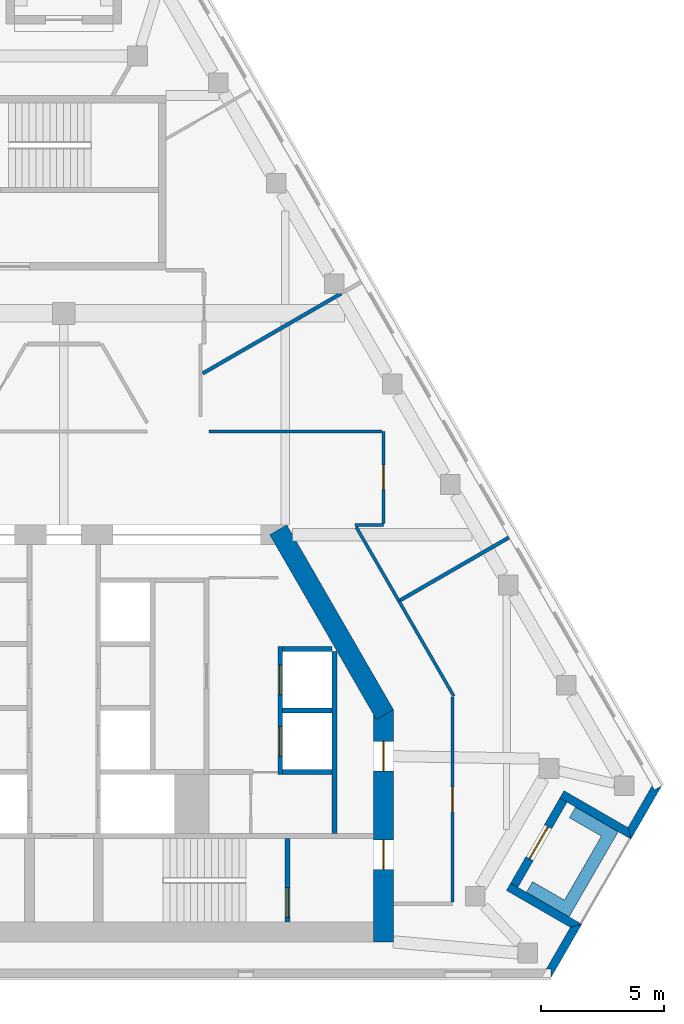
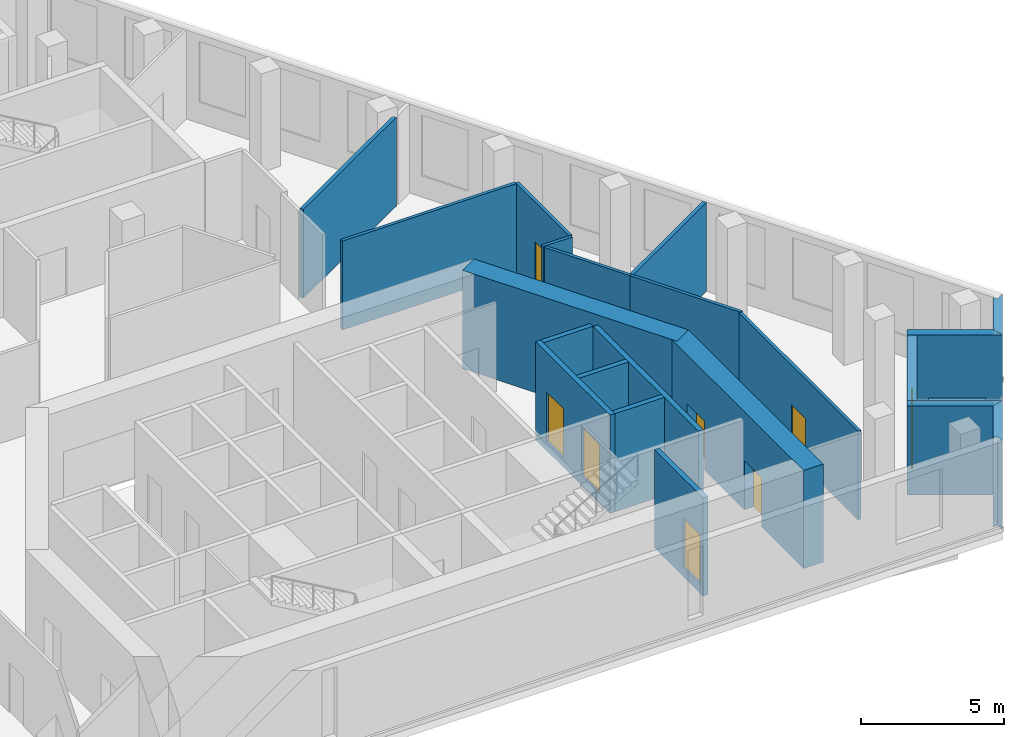
# One storey, part 5 of 8: 22 walls, 8 doors, 8 openings.
"""IFC4 building model written with IfcOpenShell, lengths in metres."""

from ifc_helpers import new_model, si_unit, direction, frame, frame_2d, origin, place, context, subcontext, project, spatial, polyline, rectangle, outline, extrude, material, layer, layer_set, type_object, element, fill, save


model = new_model("IFC4")

# Units and contexts
model_context = context("Model", 3, precision=1e-05, world=origin(), true_north=direction((0.0, 1.0)))
body_context = subcontext(model_context, "Body", "Model", "MODEL_VIEW")
ifc_project = project(units=[si_unit("LENGTHUNIT", "METRE"), si_unit("AREAUNIT", "SQUARE_METRE"), si_unit("VOLUMEUNIT", "CUBIC_METRE"), si_unit("PLANEANGLEUNIT", "RADIAN"), si_unit("MASSUNIT", "GRAM", prefix="KILO")], contexts=[model_context])

# Site, building, storey
site_placement = place(None, origin())
site = spatial("IfcSite", under=ifc_project, at=site_placement, CompositionType="ELEMENT")
building_placement = place(site_placement, origin())
building = spatial("IfcBuilding", under=site, at=building_placement, Name="Fogline Exchange Tower", CompositionType="ELEMENT")
storey_placement = place(building_placement, frame((0.0, 0.0, 330.89990234375)))
storey = spatial("IfcBuildingStorey", under=building, at=storey_placement, Name="L75", CompositionType="ELEMENT", Elevation=330.89990234375)

# Wall
ifc_material_1 = material(Name="Concrete C40", Category="concrete")
ifc_layer_1 = layer(ifc_material_1, 0.199951171875)
ifc_layer_set_1 = layer_set([ifc_layer_1], Name="CW20")
wall_type_1 = type_object("IfcWallType", Name="CW20", PredefinedType="SOLIDWALL", material=ifc_layer_set_1)
wall_1_placement = place(storey_placement, frame((11.0, 5.85009765625, 0.0), z_axis=(0.0, 0.0, 1.0), x_axis=(0.0, 1.0, 0.0)))
element("IfcWall", 1, at=wall_1_placement, inside=storey, type_object=wall_type_1, Name="Service room wall", PredefinedType="SOLIDWALL", context=body_context, shape_type="SweptSolid", body=[
    extrude(rectangle(XDim=7.39990234375, YDim=0.199951171875, at=frame_2d((3.699951171875, 0.0))), origin(), (0.0, 0.0, 1.0), 3.800048828125),
])

# Wall, opening, door
ifc_layer_2 = layer(ifc_material_1, 0.199951171875)
ifc_layer_set_2 = layer_set([ifc_layer_2], Name="CW20R")
wall_type_2 = type_object("IfcWallType", Name="CW20R", PredefinedType="SOLIDWALL", material=ifc_layer_set_2)
wall_2_placement = place(storey_placement, frame((9.10009765625, 2.25, -0.39990234375), z_axis=(0.0, 0.0, 1.0), x_axis=(0.0, 1.0, 0.0)))
wall_2 = element("IfcWall", 2, at=wall_2_placement, inside=storey, type_object=wall_type_2, Name="Stair enclosure wall", PredefinedType="SOLIDWALL", context=body_context, shape_type="SweptSolid", body=[
    extrude(rectangle(XDim=3.39990234375, YDim=0.199951171875, at=frame_2d((1.699951171875, 0.0))), origin(), (0.0, 0.0, 1.0), 4.199951171875),
])
opening_1_placement = place(wall_2_placement, frame((0.199951171875, 0.0, 0.39990234375)))
opening_1 = element("IfcOpeningElement", 3, at=opening_1_placement, cuts=wall_2, Name="Opening T23-C021", PredefinedType="OPENING", context=body_context, shape_type="SweptSolid", body=[
    extrude(rectangle(XDim=1.199951171875, YDim=2.10009765625, at=frame_2d((0.60009765625, 1.050048828125))), frame((0.0, 0.10986328125, 0.0), z_axis=(0.0, -1.0, 0.0), x_axis=(1.0, 0.0, 0.0)), (0.0, 0.0, 1.0), 0.219970703125),
])
ifc_material_2 = material(Name="Steel and timber fire door", Category="steel")
door_type_1 = type_object("IfcDoorType", Name="D-ST1", OperationType="SINGLE_SWING_LEFT", PredefinedType="DOOR", material=ifc_material_2)
door_1_placement = place(opening_1_placement, origin())
door_1 = element("IfcDoor", 4, at=door_1_placement, inside=storey, type_object=door_type_1, Name="Stair door ST2", OperationType="SINGLE_SWING_LEFT", OverallHeight=2.10009765625, OverallWidth=1.199951171875, PredefinedType="DOOR", context=body_context, shape_type="SweptSolid", body=[
    extrude(rectangle(XDim=1.199951171875, YDim=2.10009765625, at=frame_2d((0.60009765625, 1.050048828125))), frame((0.0, 0.02490234375, 0.0), z_axis=(0.0, -1.0, 0.0), x_axis=(1.0, 0.0, 0.0)), (0.0, 0.0, 1.0), 0.050048828125),
])
fill(opening_1, door_1)

# Wall, openings, doors
ifc_layer_3 = layer(ifc_material_1, 0.199951171875)
ifc_layer_set_3 = layer_set([ifc_layer_3], Name="CW20S")
wall_type_3 = type_object("IfcWallType", Name="CW20S", PredefinedType="SOLIDWALL", material=ifc_layer_set_3)
wall_3_placement = place(storey_placement, frame((8.800048828125, 8.25, -0.39990234375), z_axis=(0.0, 0.0, 1.0), x_axis=(0.0, 1.0, 0.0)))
wall_3 = element("IfcWall", 5, at=wall_3_placement, inside=storey, type_object=wall_type_3, Name="Lift shaft wall", PredefinedType="SOLIDWALL", context=body_context, shape_type="SweptSolid", body=[
    extrude(rectangle(XDim=5.199951171875, YDim=0.199951171875, at=frame_2d((2.60009765625, 0.0))), origin(), (0.0, 0.0, 1.0), 4.199951171875),
])
opening_2_placement = place(wall_3_placement, frame((0.75, 0.0, 0.39990234375)))
opening_2 = element("IfcOpeningElement", 6, at=opening_2_placement, cuts=wall_3, Name="Opening T23-LD02", PredefinedType="OPENING", context=body_context, shape_type="SweptSolid", body=[
    extrude(rectangle(XDim=1.199951171875, YDim=2.10009765625, at=frame_2d((0.60009765625, 1.050048828125))), frame((0.0, 0.10986328125, 0.0), z_axis=(0.0, -1.0, 0.0), x_axis=(1.0, 0.0, 0.0)), (0.0, 0.0, 1.0), 0.219970703125),
])
opening_3_placement = place(wall_3_placement, frame((3.25, 0.0, 0.39990234375)))
opening_3 = element("IfcOpeningElement", 7, at=opening_3_placement, cuts=wall_3, Name="Opening T23-LD03", PredefinedType="OPENING", context=body_context, shape_type="SweptSolid", body=[
    extrude(rectangle(XDim=1.199951171875, YDim=2.10009765625, at=frame_2d((0.60009765625, 1.050048828125))), frame((0.0, 0.10986328125, 0.0), z_axis=(0.0, -1.0, 0.0), x_axis=(1.0, 0.0, 0.0)), (0.0, 0.0, 1.0), 0.219970703125),
])
door_type_2 = type_object("IfcDoorType", Name="LD1", OperationType="SLIDING_TO_LEFT", PredefinedType="DOOR", material=ifc_material_2)
door_2_placement = place(opening_2_placement, origin())
door_2 = element("IfcDoor", 8, at=door_2_placement, inside=storey, type_object=door_type_2, Name="Landing door HR1", OperationType="SLIDING_TO_LEFT", OverallHeight=2.10009765625, OverallWidth=1.199951171875, PredefinedType="DOOR", context=body_context, shape_type="SweptSolid", body=[
    extrude(rectangle(XDim=1.199951171875, YDim=2.10009765625, at=frame_2d((0.60009765625, 1.050048828125))), frame((0.0, 0.02490234375, 0.0), z_axis=(0.0, -1.0, 0.0), x_axis=(1.0, 0.0, 0.0)), (0.0, 0.0, 1.0), 0.050048828125),
])
fill(opening_2, door_2)
door_3_placement = place(opening_3_placement, origin())
door_3 = element("IfcDoor", 9, at=door_3_placement, inside=storey, type_object=door_type_2, Name="Landing door HR2", OperationType="SLIDING_TO_LEFT", OverallHeight=2.10009765625, OverallWidth=1.199951171875, PredefinedType="DOOR", context=body_context, shape_type="SweptSolid", body=[
    extrude(rectangle(XDim=1.199951171875, YDim=2.10009765625, at=frame_2d((0.60009765625, 1.050048828125))), frame((0.0, 0.02490234375, 0.0), z_axis=(0.0, -1.0, 0.0), x_axis=(1.0, 0.0, 0.0)), (0.0, 0.0, 1.0), 0.050048828125),
])
fill(opening_3, door_3)

# Walls
for number, where, z_axis, x_axis, name in (
    (10, (8.89990234375, 8.35009765625, -0.39990234375), (0.0, 0.0, 1.0), (1.0, 0.0, 0.0), "Lift shaft wall"),
    (11, (8.89990234375, 10.85009765625, -0.39990234375), (0.0, 0.0, 1.0), (1.0, 0.0, 0.0), "Lift shaft wall"),
    (12, (8.89990234375, 13.35009765625, -0.39990234375), (0.0, 0.0, 1.0), (1.0, 0.0, 0.0), "Lift shaft wall"),
):
    element("IfcWall", number, at=place(storey_placement, frame(where, z_axis=z_axis, x_axis=x_axis)), inside=storey, type_object=wall_type_3, Name=name, PredefinedType="SOLIDWALL", context=body_context, shape_type="SweptSolid", body=[
        extrude(rectangle(XDim=2.0, YDim=0.199951171875, at=frame_2d((1.0, 0.0))), origin(), (0.0, 0.0, 1.0), 4.199951171875),
    ])
ifc_material_3 = material(Name="Brick masonry", Category="masonry")
ifc_layer_4 = layer(ifc_material_3, 0.340087890625)
ifc_layer_set_4 = layer_set([ifc_layer_4], Name="FW1")
wall_type_4 = type_object("IfcWallType", Name="FW1", PredefinedType="SOLIDWALL", material=ifc_layer_set_4)
wall_4_placement = place(storey_placement, origin())
element("IfcWall", 13, at=wall_4_placement, inside=storey, type_object=wall_type_4, Name="Brick wall L75 SE-c1", PredefinedType="SOLIDWALL", context=body_context, shape_type="SweptSolid", body=[
    extrude(outline(polyline([(21.058349609375, 2.165771484375), (19.807373046875, -0.001220703125), (19.806884765625, -0.0009765625), (19.806884765625, 0.33935546875), (19.610107421875, 0.33935546875), (20.592529296875, 2.041015625), (21.058349609375, 2.166015625), (21.058349609375, 2.165771484375)])), origin(), (0.0, 0.0, 1.0), 3.800048828125),
])
wall_5_placement = place(storey_placement, origin())
element("IfcWall", 14, at=wall_5_placement, inside=storey, type_object=wall_type_4, Name="Brick wall L75 SE-s1", PredefinedType="SOLIDWALL", context=body_context, shape_type="SweptSolid", body=[
    extrude(outline(polyline([(17.994140625, 3.540283203125), (18.16455078125, 3.8359375), (18.459716796875, 3.66552734375), (21.05859375, 2.1650390625), (21.05859375, 2.164794921875), (20.5927734375, 2.0400390625), (17.994140625, 3.540283203125)])), origin(), (0.0, 0.0, 1.0), 3.800048828125),
])

# Wall, opening, door
wall_6_placement = place(storey_placement, frame((18.31201171875, 3.75, 0.0), z_axis=(0.0, 0.0, 1.0), x_axis=(0.49999894854, 0.866026010844, 0.0)))
wall_6 = element("IfcWall", 15, at=wall_6_placement, inside=storey, type_object=wall_type_4, Name="Brick wall L75 SE-bk", PredefinedType="SOLIDWALL", context=body_context, shape_type="SweptSolid", body=[
    extrude(rectangle(XDim=4.0, YDim=0.340087890625, at=frame_2d((2.0, 0.0))), origin(), (0.0, 0.0, 1.0), 3.800048828125),
])
opening_4_placement = place(wall_6_placement, frame((1.25, 0.0, 0.0)))
opening_4 = element("IfcOpeningElement", 16, at=opening_4_placement, cuts=wall_6, Name="Opening T23-E081", PredefinedType="OPENING", context=body_context, shape_type="SweptSolid", body=[
    extrude(rectangle(XDim=1.5, YDim=2.39990234375, at=frame_2d((0.75, 1.199951171875))), frame((0.0, 0.18017578125, 0.0), z_axis=(0.0, -1.0, 0.0), x_axis=(1.0, 0.0, 0.0)), (0.0, 0.0, 1.0), 0.360107421875),
])
ifc_material_4 = material(Name="Aluminium and glass", Category="aluminium")
door_type_3 = type_object("IfcDoorType", Name="ED4", OperationType="SINGLE_SWING_LEFT", PredefinedType="DOOR", material=ifc_material_4)
door_4_placement = place(opening_4_placement, frame((1.5, 0.0, 0.0), z_axis=(0.0, 0.0, 1.0), x_axis=(-1.0, 0.0, 0.0)))
door_4 = element("IfcDoor", 17, at=door_4_placement, inside=storey, type_object=door_type_3, Name="Balcony door L75 SE", OperationType="DOUBLE_DOOR_SINGLE_SWING", OverallHeight=2.39990234375, OverallWidth=1.5, PredefinedType="DOOR", context=body_context, shape_type="SweptSolid", body=[
    extrude(rectangle(XDim=1.5, YDim=2.39990234375, at=frame_2d((0.75, 1.199951171875))), frame((0.0, 0.02490234375, 0.0), z_axis=(0.0, -1.0, 0.0), x_axis=(1.0, 0.0, 0.0)), (0.0, 0.0, 1.0), 0.050048828125),
])
fill(opening_4, door_4)

# Walls
wall_7_placement = place(storey_placement, origin())
element("IfcWall", 18, at=wall_7_placement, inside=storey, type_object=wall_type_4, Name="Brick wall L75 SE-s2", PredefinedType="SOLIDWALL", context=body_context, shape_type="SweptSolid", body=[
    extrude(outline(polyline([(23.05810546875, 5.628173828125), (20.458984375, 7.128662109375), (20.1640625, 7.298828125), (20.334716796875, 7.594482421875), (22.933349609375, 6.093994140625), (23.058349609375, 5.62841796875), (23.05810546875, 5.628173828125)])), origin(), (0.0, 0.0, 1.0), 3.800048828125),
])
wall_8_placement = place(storey_placement, origin())
element("IfcWall", 19, at=wall_8_placement, inside=storey, type_object=wall_type_4, Name="Brick wall L75 SE-c2", PredefinedType="SOLIDWALL", context=body_context, shape_type="SweptSolid", body=[
    extrude(outline(polyline([(23.914794921875, 7.79541015625), (24.01318359375, 7.625), (24.30810546875, 7.79541015625), (24.308349609375, 7.794921875), (23.057373046875, 5.6279296875), (23.05712890625, 5.6279296875), (22.932373046875, 6.09375), (23.914794921875, 7.79541015625)])), origin(), (0.0, 0.0, 1.0), 3.800048828125),
])
ifc_material_5 = material(Name="Concrete C30", Category="concrete")
ifc_layer_5 = layer(ifc_material_5, 0.199951171875)
ifc_layer_set_5 = layer_set([ifc_layer_5], Name="PL1")
wall_type_5 = type_object("IfcWallType", Name="PL1", PredefinedType="USERDEFINED", material=ifc_layer_set_5)
wall_9_placement = place(storey_placement, origin())
element("IfcWall", 20, at=wall_9_placement, inside=storey, type_object=wall_type_5, Name="PLANTER balcony L75 SE", ObjectType="PLANTER", PredefinedType="USERDEFINED", context=body_context, shape_type="SweptSolid", body=[
    extrude(outline(polyline([(18.8056640625, 3.465087890625), (20.104736328125, 2.715087890625), (20.104736328125, 2.715087890625), (20.537841796875, 2.465087890625), (22.287841796875, 5.49609375), (22.537841796875, 5.92919921875), (20.8056640625, 6.92919921875), (20.5556640625, 6.49609375), (21.854736328125, 5.74609375), (20.354736328125, 3.148193359375), (19.0556640625, 3.898193359375), (18.8056640625, 3.465087890625)])), origin(), (0.0, 0.0, 1.0), 1.10009765625),
])
ifc_material_6 = material(Name="Plasterboard corridor partition with mineral wool, 2 layers each side")
ifc_layer_6 = layer(ifc_material_6, 0.125)
ifc_layer_set_6 = layer_set([ifc_layer_6], Name="PW2")
wall_type_6 = type_object("IfcWallType", Name="PW2", PredefinedType="PARTITIONING", material=ifc_layer_set_6)
wall_10_placement = place(storey_placement, frame((11.890869140625, 18.305908203125, 0.0), z_axis=(0.0, 0.0, 1.0), x_axis=(0.499980616072, -0.866036594811, 0.0)))
element("IfcWall", 21, at=wall_10_placement, inside=storey, type_object=wall_type_6, Name="wall-L75-W001", PredefinedType="PARTITIONING", context=body_context, shape_type="SweptSolid", body=[
    extrude(rectangle(XDim=3.465576171875, YDim=0.125, at=frame_2d((1.73291015625, 0.0))), origin(), (0.0, 0.0, 1.0), 3.800048828125),
])
wall_11_placement = place(storey_placement, frame((13.62353515625, 15.3046875, 0.0), z_axis=(0.0, 0.0, 1.0), x_axis=(0.499994034198, -0.866028848114, 0.0)))
element("IfcWall", 22, at=wall_11_placement, inside=storey, type_object=wall_type_6, Name="wall-L75-W002", PredefinedType="PARTITIONING", context=body_context, shape_type="SweptSolid", body=[
    extrude(rectangle(XDim=4.46142578125, YDim=0.125, at=frame_2d((2.230712890625, 0.0))), origin(), (0.0, 0.0, 1.0), 3.800048828125),
])

# Wall, opening, door
wall_12_placement = place(storey_placement, frame((15.800048828125, 11.409912109375, 0.0), z_axis=(0.0, 0.0, 1.0), x_axis=(0.0, -1.0, 0.0)))
wall_12 = element("IfcWall", 23, at=wall_12_placement, inside=storey, type_object=wall_type_6, Name="wall-L75-W003", PredefinedType="PARTITIONING", context=body_context, shape_type="SweptSolid", body=[
    extrude(rectangle(XDim=8.347412109375, YDim=0.125, at=frame_2d((4.173828125, 0.0))), origin(), (0.0, 0.0, 1.0), 3.800048828125),
])
opening_5_placement = place(wall_12_placement, frame((3.673583984375, 0.0, 0.0)))
opening_5 = element("IfcOpeningElement", 24, at=opening_5_placement, cuts=wall_12, Name="Opening T23-D001", PredefinedType="OPENING", context=body_context, shape_type="SweptSolid", body=[
    extrude(rectangle(XDim=1.0, YDim=2.10009765625, at=frame_2d((0.5, 1.050048828125))), frame((0.0, 0.072509765625, 0.0), z_axis=(0.0, -1.0, 0.0), x_axis=(1.0, 0.0, 0.0)), (0.0, 0.0, 1.0), 0.14501953125),
])
ifc_material_7 = material(Name="Fire-rated timber door leaf with steel frame", Category="steel")
door_type_4 = type_object("IfcDoorType", Name="D3", OperationType="SINGLE_SWING_LEFT", PredefinedType="DOOR", material=ifc_material_7)
door_5_placement = place(opening_5_placement, origin())
door_5 = element("IfcDoor", 25, at=door_5_placement, inside=storey, type_object=door_type_4, Name="door-L75-D001", OperationType="SINGLE_SWING_RIGHT", OverallHeight=2.10009765625, OverallWidth=1.0, PredefinedType="DOOR", context=body_context, shape_type="SweptSolid", body=[
    extrude(rectangle(XDim=1.0, YDim=2.10009765625, at=frame_2d((0.5, 1.050048828125))), frame((0.0, 0.02490234375, 0.0), z_axis=(0.0, -1.0, 0.0), x_axis=(1.0, 0.0, 0.0)), (0.0, 0.0, 1.0), 0.050048828125),
])
fill(opening_5, door_5)

# Wall
wall_13_placement = place(storey_placement, frame((5.898193359375, 22.199951171875, 0.0), z_axis=(0.0, 0.0, 1.0), x_axis=(1.0, 0.0, 0.0)))
element("IfcWall", 26, at=wall_13_placement, inside=storey, type_object=wall_type_6, Name="wall-L75-W005", PredefinedType="PARTITIONING", context=body_context, shape_type="SweptSolid", body=[
    extrude(rectangle(XDim=7.039306640625, YDim=0.125, at=frame_2d((3.51953125, 0.0))), origin(), (0.0, 0.0, 1.0), 3.800048828125),
])

# Wall, opening, door
wall_14_placement = place(storey_placement, frame((13.0, 22.199951171875, 0.0), z_axis=(0.0, 0.0, 1.0), x_axis=(0.0, -1.0, 0.0)))
wall_14 = element("IfcWall", 27, at=wall_14_placement, inside=storey, type_object=wall_type_6, Name="wall-L75-W006", PredefinedType="PARTITIONING", context=body_context, shape_type="SweptSolid", body=[
    extrude(rectangle(XDim=3.737548828125, YDim=0.125, at=frame_2d((1.86865234375, 0.0))), origin(), (0.0, 0.0, 1.0), 3.800048828125),
])
opening_6_placement = place(wall_14_placement, frame((1.368896484375, 0.0, 0.0)))
opening_6 = element("IfcOpeningElement", 28, at=opening_6_placement, cuts=wall_14, Name="Opening T23-D002", PredefinedType="OPENING", context=body_context, shape_type="SweptSolid", body=[
    extrude(rectangle(XDim=1.0, YDim=2.10009765625, at=frame_2d((0.5, 1.050048828125))), frame((0.0, 0.072509765625, 0.0), z_axis=(0.0, -1.0, 0.0), x_axis=(1.0, 0.0, 0.0)), (0.0, 0.0, 1.0), 0.14501953125),
])
door_6_placement = place(opening_6_placement, origin())
door_6 = element("IfcDoor", 29, at=door_6_placement, inside=storey, type_object=door_type_4, Name="door-L75-D002", OperationType="SINGLE_SWING_LEFT", OverallHeight=2.10009765625, OverallWidth=1.0, PredefinedType="DOOR", context=body_context, shape_type="SweptSolid", body=[
    extrude(rectangle(XDim=1.0, YDim=2.10009765625, at=frame_2d((0.5, 1.050048828125))), frame((0.0, 0.02490234375, 0.0), z_axis=(0.0, -1.0, 0.0), x_axis=(1.0, 0.0, 0.0)), (0.0, 0.0, 1.0), 0.050048828125),
])
fill(opening_6, door_6)

# Walls
wall_15_placement = place(storey_placement, frame((13.0, 18.39990234375, 0.0), z_axis=(0.0, 0.0, 1.0), x_axis=(-1.0, 0.0, 0.0)))
element("IfcWall", 30, at=wall_15_placement, inside=storey, type_object=wall_type_6, Name="wall-L75-W007", PredefinedType="PARTITIONING", context=body_context, shape_type="SweptSolid", body=[
    extrude(rectangle(XDim=1.16357421875, YDim=0.125, at=frame_2d((0.581787109375, 0.0))), origin(), (0.0, 0.0, 1.0), 3.800048828125),
])
ifc_material_8 = material(Name="Plasterboard demising partition with mineral wool and acoustic board")
ifc_layer_7 = layer(ifc_material_8, 0.14990234375)
ifc_layer_set_7 = layer_set([ifc_layer_7], Name="PW3")
wall_type_7 = type_object("IfcWallType", Name="PW3", PredefinedType="PARTITIONING", material=ifc_layer_set_7)
wall_16_placement = place(storey_placement, frame((5.650390625, 24.557861328125, 0.0), z_axis=(0.0, 0.0, 1.0), x_axis=(0.866046129401, 0.49996410046, 0.0)))
element("IfcWall", 31, at=wall_16_placement, inside=storey, type_object=wall_type_7, Name="wall-L75-W027", PredefinedType="PARTITIONING", context=body_context, shape_type="SweptSolid", body=[
    extrude(rectangle(XDim=6.5009765625, YDim=0.14990234375, at=frame_2d((3.25048828125, 0.0))), origin(), (0.0, 0.0, 1.0), 3.800048828125),
])
wall_17_placement = place(storey_placement, frame((18.08984375, 17.88330078125, 0.0), z_axis=(0.0, 0.0, 1.0), x_axis=(-0.866034770228, -0.499983776493, 0.0)))
element("IfcWall", 32, at=wall_17_placement, inside=storey, type_object=wall_type_7, Name="wall-L75-W029", PredefinedType="PARTITIONING", context=body_context, shape_type="SweptSolid", body=[
    extrude(rectangle(XDim=5.094970703125, YDim=0.14990234375, at=frame_2d((2.54736328125, 0.0))), origin(), (0.0, 0.0, 1.0), 3.800048828125),
])

# Wall, openings, doors
ifc_material_9 = material(Name="Concrete C50", Category="concrete")
ifc_layer_8 = layer(ifc_material_9, 0.800048828125)
ifc_layer_set_8 = layer_set([ifc_layer_8], Name="SW04")
wall_type_8 = type_object("IfcWallType", Name="SW04", PredefinedType="SHEAR", material=ifc_layer_set_8)
wall_18_placement = place(storey_placement, frame((13.0, 1.449951171875, 0.0), z_axis=(0.0, 0.0, 1.0), x_axis=(0.0, 1.0, 0.0)))
wall_18 = element("IfcWall", 33, at=wall_18_placement, inside=storey, type_object=wall_type_8, Name="L75-W902", PredefinedType="SHEAR", context=body_context, shape_type="SweptSolid", body=[
    extrude(rectangle(XDim=9.44189453125, YDim=0.800048828125, at=frame_2d((4.720947265625, 0.0))), origin(), (0.0, 0.0, 1.0), 4.2001953125),
])
opening_7_placement = place(wall_18_placement, frame((2.949951171875, 0.0, 0.0)))
opening_7 = element("IfcOpeningElement", 34, at=opening_7_placement, cuts=wall_18, Name="Opening T23-C020", PredefinedType="OPENING", context=body_context, shape_type="SweptSolid", body=[
    extrude(rectangle(XDim=1.199951171875, YDim=2.10009765625, at=frame_2d((0.60009765625, 1.050048828125))), frame((0.0, 0.41015625, 0.0), z_axis=(0.0, -1.0, 0.0), x_axis=(1.0, 0.0, 0.0)), (0.0, 0.0, 1.0), 0.820068359375),
])
opening_8_placement = place(wall_18_placement, frame((6.949951171875, 0.0, 0.0)))
opening_8 = element("IfcOpeningElement", 35, at=opening_8_placement, cuts=wall_18, Name="Opening T23-C022", PredefinedType="OPENING", context=body_context, shape_type="SweptSolid", body=[
    extrude(rectangle(XDim=1.199951171875, YDim=2.10009765625, at=frame_2d((0.60009765625, 1.050048828125))), frame((0.0, 0.41015625, 0.0), z_axis=(0.0, -1.0, 0.0), x_axis=(1.0, 0.0, 0.0)), (0.0, 0.0, 1.0), 0.820068359375),
])
door_type_5 = type_object("IfcDoorType", Name="D-FR1", OperationType="SINGLE_SWING_RIGHT", PredefinedType="DOOR", material=ifc_material_2)
door_7_placement = place(opening_7_placement, origin())
door_7 = element("IfcDoor", 36, at=door_7_placement, inside=storey, type_object=door_type_5, Name="Front room door ST2", OperationType="SINGLE_SWING_RIGHT", OverallHeight=2.10009765625, OverallWidth=1.199951171875, PredefinedType="DOOR", context=body_context, shape_type="SweptSolid", body=[
    extrude(rectangle(XDim=1.199951171875, YDim=2.10009765625, at=frame_2d((0.60009765625, 1.050048828125))), frame((0.0, 0.02490234375, 0.0), z_axis=(0.0, -1.0, 0.0), x_axis=(1.0, 0.0, 0.0)), (0.0, 0.0, 1.0), 0.050048828125),
])
fill(opening_7, door_7)
door_type_6 = type_object("IfcDoorType", Name="D-SV1", OperationType="SINGLE_SWING_LEFT", PredefinedType="DOOR", material=ifc_material_2)
door_8_placement = place(opening_8_placement, origin())
door_8 = element("IfcDoor", 37, at=door_8_placement, inside=storey, type_object=door_type_6, Name="Service door E", OperationType="SINGLE_SWING_RIGHT", OverallHeight=2.10009765625, OverallWidth=1.199951171875, PredefinedType="DOOR", context=body_context, shape_type="SweptSolid", body=[
    extrude(rectangle(XDim=1.199951171875, YDim=2.10009765625, at=frame_2d((0.60009765625, 1.050048828125))), frame((0.0, 0.02490234375, 0.0), z_axis=(0.0, -1.0, 0.0), x_axis=(1.0, 0.0, 0.0)), (0.0, 0.0, 1.0), 0.050048828125),
])
fill(opening_8, door_8)

# Wall
wall_19_placement = place(storey_placement, frame((13.0537109375, 10.69189453125, 0.0), z_axis=(0.0, 0.0, 1.0), x_axis=(-0.500015780397, 0.866016292776, 0.0)))
element("IfcWall", 38, at=wall_19_placement, inside=storey, type_object=wall_type_8, Name="L75-W903", PredefinedType="SHEAR", context=body_context, shape_type="SweptSolid", body=[
    extrude(rectangle(XDim=8.669677734375, YDim=0.800048828125, at=frame_2d((4.3349609375, 0.0))), origin(), (0.0, 0.0, 1.0), 4.2001953125),
])

save(model, "model.ifc")
